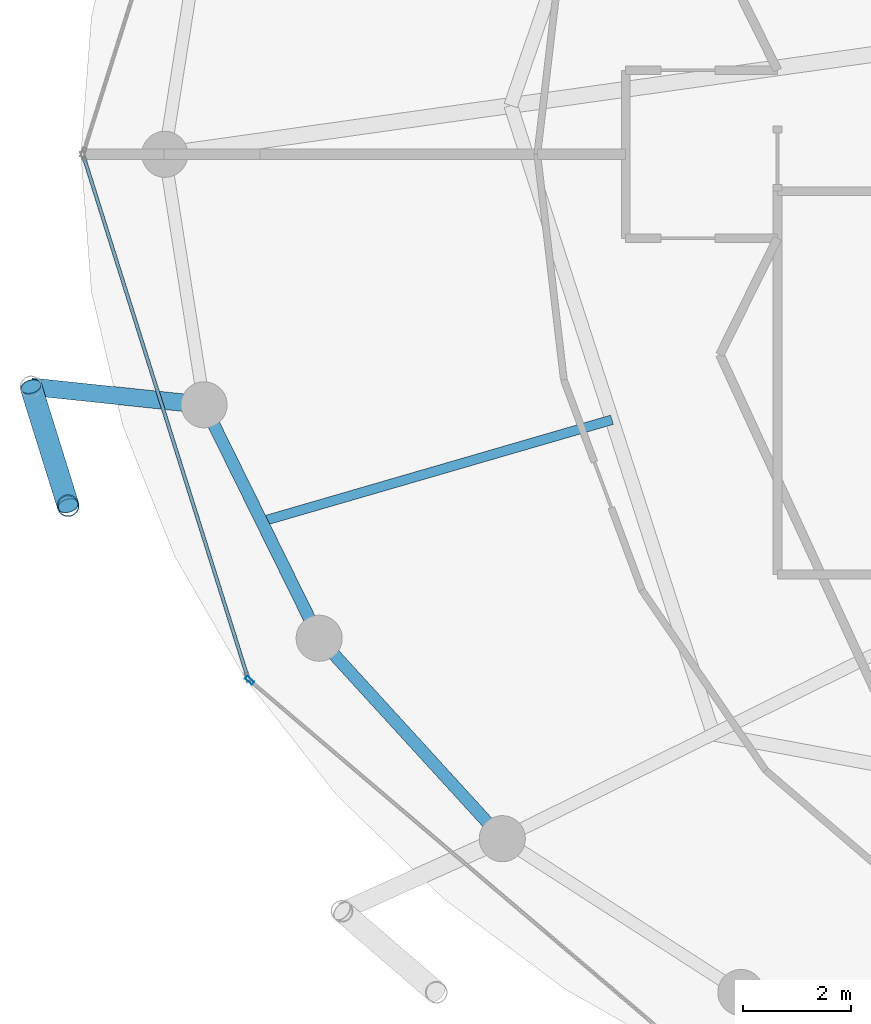
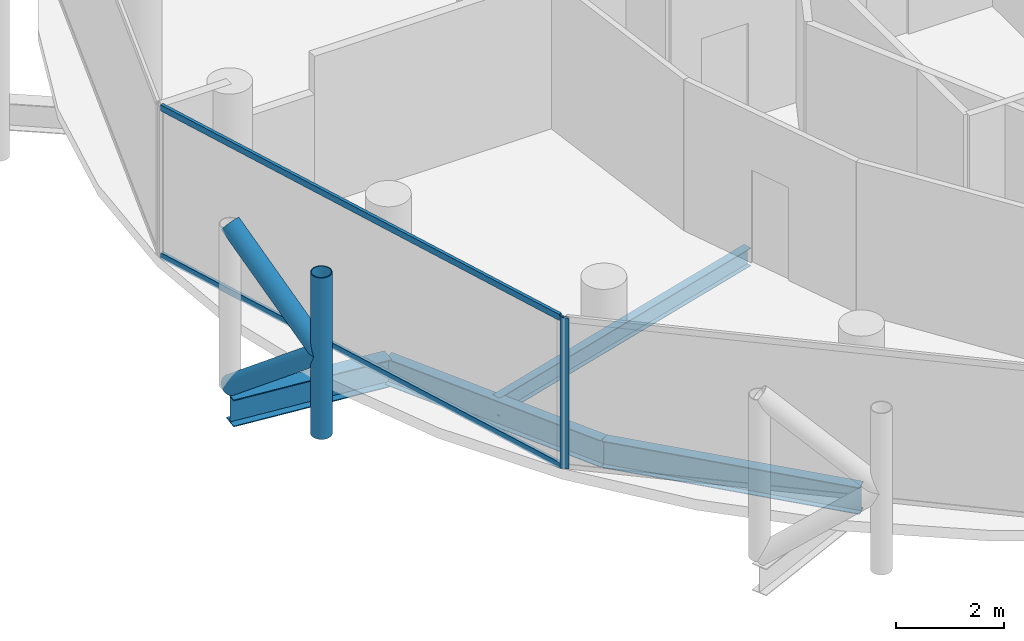
# One storey, part 3 of 27: 6 members, 4 beams, 2 elements without a shape of their own.
"""IFC4 building model written with IfcOpenShell, lengths in metres."""

from ifc_helpers import new_model, si_unit, direction, frame, origin, origin_2d, place, context, subcontext, project, spatial, hollow_rectangle, hollow_circle, i_section, extrude, material, layer, layer_set, material_profile, profile_set, type_object, element, aggregate, save


model = new_model("IFC4")

# Units and contexts
model_context = context("Model", 3, precision=1e-05, world=origin(), true_north=direction((0.0, 1.0)))
body_context = subcontext(model_context, "Body", "Model", "MODEL_VIEW")
ifc_project = project(units=[si_unit("LENGTHUNIT", "METRE"), si_unit("AREAUNIT", "SQUARE_METRE"), si_unit("VOLUMEUNIT", "CUBIC_METRE"), si_unit("PLANEANGLEUNIT", "RADIAN"), si_unit("MASSUNIT", "GRAM", prefix="KILO")], contexts=[model_context])

# Site, building, storey
site_placement = place(None, origin())
site = spatial("IfcSite", under=ifc_project, at=site_placement, CompositionType="ELEMENT")
building_placement = place(site_placement, origin())
building = spatial("IfcBuilding", under=site, at=building_placement, Name="Nuhasar Tower", CompositionType="ELEMENT")
storey_placement = place(building_placement, frame((0.0, 0.0, 219.10009765625)))
storey = spatial("IfcBuildingStorey", under=building, at=storey_placement, Name="L53", CompositionType="ELEMENT", Elevation=219.10009765625)

# Beams
ifc_material_1 = material(Name="Steel S355", Category="steel")
ifc_material_profile_1 = material_profile(ifc_material_1, i_section(OverallWidth=0.177978515625, OverallDepth=0.406005859375, WebThickness=0.0078125, FlangeThickness=0.0126953125, at=origin_2d()), Name="W16X40")
ifc_profile_set_1 = profile_set([ifc_material_profile_1], Name="Steel S355")
beam_type_1 = type_object("IfcBeamType", Name="BM-JST-W16X40", PredefinedType="JOIST", material=ifc_profile_set_1)
beam_1_placement = place(storey_placement, frame((25.9970703125, 21.904052734375, -0.443115234375), z_axis=(-0.960312689798, -0.27892568511, 0.0), x_axis=(0.27892568511, -0.960312689798, 0.0)))
element("IfcBeam", 1, at=beam_1_placement, inside=storey, type_object=beam_type_1, Name="L53 Secondary Floor Joist 08", PredefinedType="JOIST", context=body_context, shape_type="SweptSolid", body=[
    extrude(i_section(OverallWidth=0.177978515625, OverallDepth=0.406005859375, WebThickness=0.0078125, FlangeThickness=0.0126953125, at=origin_2d()), origin(), (0.0, 0.0, 1.0), 6.729248046875),
])
ifc_material_profile_2 = material_profile(ifc_material_1, i_section(OverallWidth=0.22802734375, OverallDepth=0.60791015625, WebThickness=0.01123046875, FlangeThickness=0.017333984375, at=origin_2d()), Name="W24X76")
ifc_profile_set_2 = profile_set([ifc_material_profile_2], Name="Steel S355")
beam_type_2 = type_object("IfcBeamType", Name="BM-RING-W24X76", PredefinedType="SPANDREL", material=ifc_profile_set_2)
beam_2_placement = place(storey_placement, frame((18.47412109375, 22.179931640625, -0.544189453125), z_axis=(0.442262779282, -0.896885518928, 0.0), x_axis=(0.896885518928, 0.442262779282, 0.0)))
element("IfcBeam", 2, at=beam_2_placement, inside=storey, type_object=beam_type_2, Name="L53 Perimeter Ring Spandrel 14", PredefinedType="SPANDREL", context=body_context, shape_type="SweptSolid", body=[
    extrude(i_section(OverallWidth=0.22802734375, OverallDepth=0.60791015625, WebThickness=0.01123046875, FlangeThickness=0.017333984375, at=origin_2d()), origin(), (0.0, 0.0, 1.0), 4.7998046875),
])
beam_3_placement = place(storey_placement, frame((20.596923828125, 17.875, -0.544189453125), z_axis=(0.674449692975, -0.738320805373, 0.0), x_axis=(0.738320805373, 0.674449692975, 0.0)))
element("IfcBeam", 3, at=beam_3_placement, inside=storey, type_object=beam_type_2, Name="L53 Perimeter Ring Spandrel 15", PredefinedType="SPANDREL", context=body_context, shape_type="SweptSolid", body=[
    extrude(i_section(OverallWidth=0.22802734375, OverallDepth=0.60791015625, WebThickness=0.01123046875, FlangeThickness=0.017333984375, at=origin_2d()), origin(), (0.0, 0.0, 1.0), 5.00732421875),
])
ifc_material_profile_3 = material_profile(ifc_material_1, i_section(OverallWidth=0.323974609375, OverallDepth=0.611083984375, WebThickness=0.0126953125, FlangeThickness=0.01904296875, at=origin_2d()), Name="W24X104")
ifc_profile_set_3 = profile_set([ifc_material_profile_3], Name="Steel S355")
beam_type_3 = type_object("IfcBeamType", Name="BM-TIE-W24X104", PredefinedType="BEAM", material=ifc_profile_set_3)
beam_4_placement = place(storey_placement, frame((18.47412109375, 22.179931640625, -0.545166015625), z_axis=(-0.994571111079, 0.10405914187, 0.0), x_axis=(-0.10405914187, -0.994571111079, 0.0)))
element("IfcBeam", 4, at=beam_4_placement, inside=storey, type_object=beam_type_3, Name="L53 Exoskeleton Node Tie Beam 07", PredefinedType="BEAM", context=body_context, shape_type="SweptSolid", body=[
    extrude(i_section(OverallWidth=0.323974609375, OverallDepth=0.611083984375, WebThickness=0.0126953125, FlangeThickness=0.01904296875, at=origin_2d()), origin(), (0.0, 0.0, 1.0), 3.20947265625),
])

# Curtain wall, member
ifc_material_2 = material(Name="Aluminium 6063-T6", Category="aluminium")
ifc_layer = layer(ifc_material_2, 0.18994140625)
ifc_layer_set = layer_set([ifc_layer], Name="Aluminium 6063-T6")
curtain_wall_type = type_object("IfcCurtainWallType", Name="CW-Z3-RES", PredefinedType="NOTDEFINED", material=ifc_layer_set)
curtain_wall_1_placement = place(storey_placement, origin())
curtain_wall_1 = element("IfcCurtainWall", 5, at=curtain_wall_1_placement, inside=storey, type_object=curtain_wall_type, Name="L53 Unitised Curtain Wall 08", PredefinedType="NOTDEFINED")
ifc_material_profile_4 = material_profile(ifc_material_2, hollow_rectangle(XDim=0.06494140625, YDim=0.169921875, WallThickness=0.0048828125, at=origin_2d()), Name="CWM-4")
ifc_profile_set_4 = profile_set([ifc_material_profile_4], Name="Aluminium 6063-T6")
member_type_1 = type_object("IfcMemberType", Name="CW-MUL-S4", PredefinedType="MULLION", material=ifc_profile_set_4)
member_1_placement = place(storey_placement, frame((19.313720703125, 17.098876953125, 0.0), z_axis=(0.0, 0.0, 1.0), x_axis=(0.64789521578, 0.761729472562, 0.0)))
member_1 = element("IfcMember", 6, at=member_1_placement, type_object=member_type_1, Name="CW-Z3 mullion 1", PredefinedType="MULLION", context=body_context, shape_type="SweptSolid", body=[
    extrude(hollow_rectangle(XDim=0.06494140625, YDim=0.169921875, WallThickness=0.0048828125, at=origin_2d()), origin(), (0.0, 0.0, 1.0), 3.409912109375),
])
aggregate(curtain_wall_1, [member_1])

# Curtain wall, members
curtain_wall_2_placement = place(storey_placement, origin())
curtain_wall_2 = element("IfcCurtainWall", 7, at=curtain_wall_2_placement, inside=storey, type_object=curtain_wall_type, Name="L53 Unitised Curtain Wall 07", PredefinedType="NOTDEFINED")
ifc_material_profile_5 = material_profile(ifc_material_2, hollow_rectangle(XDim=0.06494140625, YDim=0.139892578125, WallThickness=0.00439453125, at=origin_2d()), Name="CWT-4")
ifc_profile_set_5 = profile_set([ifc_material_profile_5], Name="Aluminium 6063-T6")
member_type_2 = type_object("IfcMemberType", Name="CW-TRN-S4", PredefinedType="USERDEFINED", material=ifc_profile_set_5)
member_2_placement = place(storey_placement, frame((16.259521484375, 26.738037109375, 0.032470703125), z_axis=(0.300430390604, -0.953803743126, 0.0), x_axis=(0.953803743126, 0.300430390604, 0.0)))
member_2 = element("IfcMember", 8, at=member_2_placement, type_object=member_type_2, Name="CW-Z3 transom 1.1", ObjectType="TRANSOM", PredefinedType="USERDEFINED", context=body_context, shape_type="SweptSolid", body=[
    extrude(hollow_rectangle(XDim=0.06494140625, YDim=0.139892578125, WallThickness=0.00439453125, at=origin_2d()), origin(), (0.0, 0.0, 1.0), 10.01904296875),
])
member_3_placement = place(storey_placement, frame((16.259521484375, 26.738037109375, 3.37744140625), z_axis=(0.300430390604, -0.953803743126, 0.0), x_axis=(0.953803743126, 0.300430390604, 0.0)))
member_3 = element("IfcMember", 9, at=member_3_placement, type_object=member_type_2, Name="CW-Z3 transom 1.2", ObjectType="TRANSOM", PredefinedType="USERDEFINED", context=body_context, shape_type="SweptSolid", body=[
    extrude(hollow_rectangle(XDim=0.06494140625, YDim=0.139892578125, WallThickness=0.00439453125, at=origin_2d()), origin(), (0.0, 0.0, 1.0), 10.01904296875),
])
aggregate(curtain_wall_2, [member_2, member_3])

# Members
ifc_material_3 = material(Name="Steel S460", Category="steel")
ifc_material_profile_6 = material_profile(ifc_material_3, hollow_circle(Radius=0.203125, WallThickness=0.01904296875, at=origin_2d()), Name="HSS406.4X19.1")
ifc_profile_set_6 = profile_set([ifc_material_profile_6], Name="Steel S460")
member_type_3 = type_object("IfcMemberType", Name="EXO-BRONZE-406", PredefinedType="BRACE", material=ifc_profile_set_6)
member_4_placement = place(storey_placement, frame((15.967041015625, 20.319091796875, 0.0), z_axis=(0.0, 0.0, 1.0), x_axis=(1.0, 0.0, 0.0)))
element("IfcMember", 10, at=member_4_placement, inside=storey, type_object=member_type_3, Name="L53 Exoskeleton Chord Column EC-07B", PredefinedType="BRACE", context=body_context, shape_type="SweptSolid", body=[
    extrude(hollow_circle(Radius=0.203125, WallThickness=0.01904296875, at=origin_2d()), origin(), (0.0, 0.0, 1.0), 3.64990234375),
])
for number, where, z_axis, x_axis, name in (
    (11, (15.281982421875, 22.513916015625, 0.0), (0.233372423355, -0.747689980743, 0.621688832709), (0.954581948223, 0.297948492404, 0.0), "L53 Bronze Diagrid Brace W1-07"),
    (12, (15.967041015625, 20.319091796875, 1.824951171875), (-0.233372423355, 0.747689980743, 0.621688832709), (-0.954581948223, -0.297948492404, 0.0), "L53 Bronze Diagrid Brace W2-07"),
):
    element("IfcMember", number, at=place(storey_placement, frame(where, z_axis=z_axis, x_axis=x_axis)), inside=storey, type_object=member_type_3, Name=name, PredefinedType="BRACE", context=body_context, shape_type="SweptSolid", body=[
        extrude(hollow_circle(Radius=0.203125, WallThickness=0.01904296875, at=origin_2d()), origin(), (0.0, 0.0, 1.0), 2.935546875),
    ])

save(model, "model.ifc")
